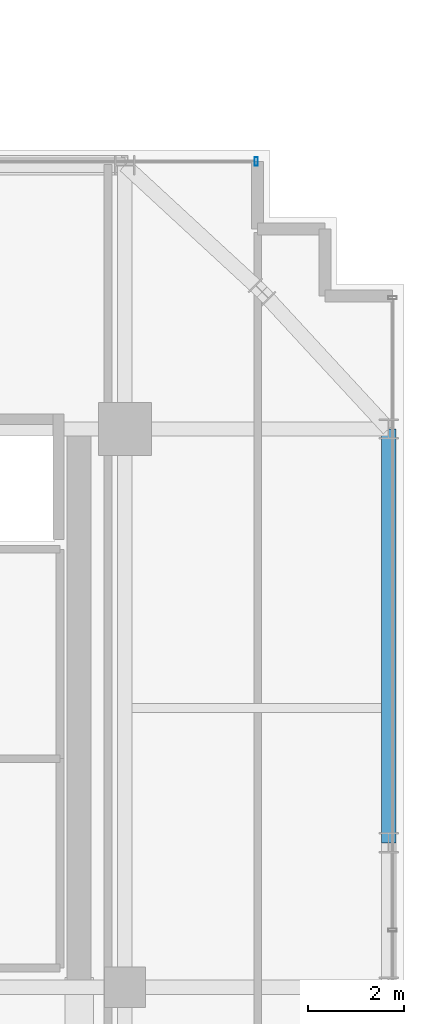
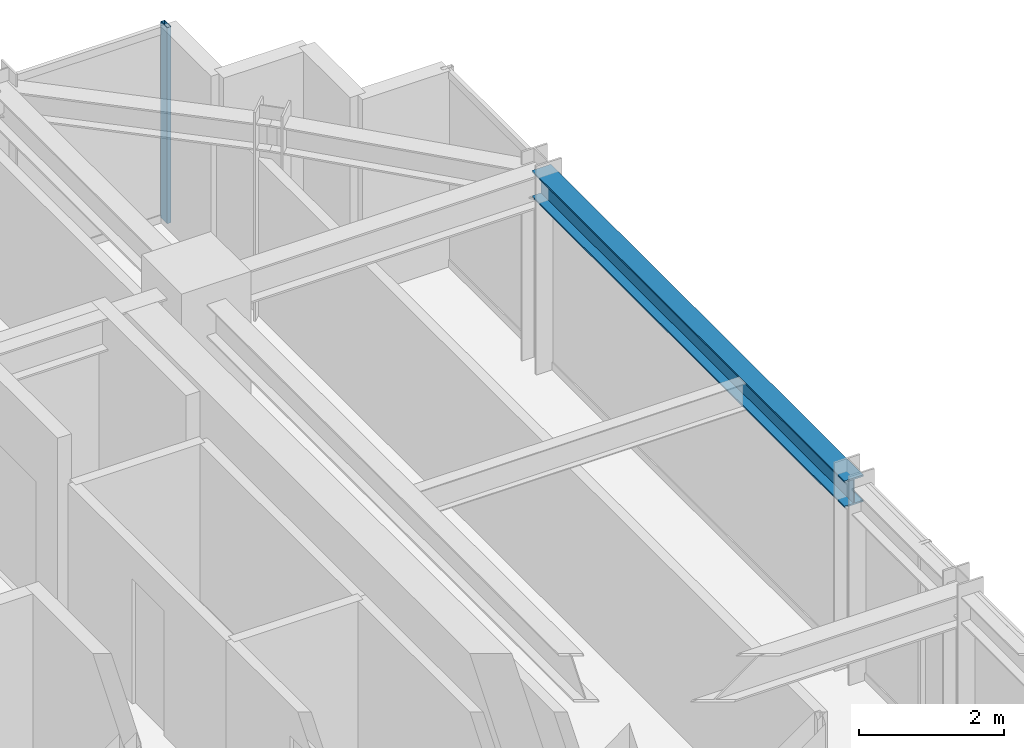
# One storey, part 23 of 32: 1 beam, 1 member, 1 element without a shape of its own.
"""IFC4 building model written with IfcOpenShell, lengths in metres."""

from ifc_helpers import new_model, si_unit, direction, frame, origin, origin_2d, place, context, subcontext, project, spatial, hollow_rectangle, i_section, extrude, source, transform, mapped, material, material_profile, profile_set, type_object, element, aggregate, save


model = new_model("IFC4")

# Units and contexts
model_context = context("Model", 3, precision=1e-05, world=origin(), true_north=direction((0.0, 1.0)))
body_context = subcontext(model_context, "Body", "Model", "MODEL_VIEW")
ifc_project = project(units=[si_unit("LENGTHUNIT", "METRE"), si_unit("AREAUNIT", "SQUARE_METRE"), si_unit("VOLUMEUNIT", "CUBIC_METRE"), si_unit("PLANEANGLEUNIT", "RADIAN"), si_unit("MASSUNIT", "GRAM", prefix="KILO")], contexts=[model_context])

# Site, building, storey
site_placement = place(None, origin())
site = spatial("IfcSite", under=ifc_project, at=site_placement, CompositionType="ELEMENT")
building_placement = place(site_placement, origin())
building = spatial("IfcBuilding", under=site, at=building_placement, Name="Nahalor Promenade Grand Hotel", CompositionType="ELEMENT")
storey_placement = place(building_placement, frame((0.0, 0.0, 196.449951171875)))
storey = spatial("IfcBuildingStorey", under=building, at=storey_placement, Name="L50", CompositionType="ELEMENT", Elevation=196.449951171875)

# Beam
ifc_material_1 = material(Name="Steel S355JR", Category="steel")
ifc_material_profile_1 = material_profile(ifc_material_1, i_section(OverallWidth=0.3, OverallDepth=0.45, WebThickness=0.014, FlangeThickness=0.026, at=origin_2d()), Name="HEB 450")
ifc_profile_set_1 = profile_set([ifc_material_profile_1], Name="Steel S355JR")
beam_type = type_object("IfcBeamType", Name="Beam-Spandrel-HEB450", PredefinedType="SPANDREL", material=ifc_profile_set_1)
shared_shape_1 = source(origin(), body_context, "Body", "SweptSolid", [
    extrude(i_section(OverallWidth=0.3, OverallDepth=0.45, WebThickness=0.014, FlangeThickness=0.026, at=origin_2d()), origin(), (0.0, 0.0, 1.0), 8.60009765625),
])
beam_placement = place(storey_placement, frame((22.47998046875, 8.39990234375, 3.06494140625), z_axis=(0.0, 1.0, 0.0), x_axis=(-1.0, 0.0, 0.0)))
element("IfcBeam", 1, at=beam_placement, inside=storey, type_object=beam_type, Name="BM-L50-SP-E-4", PredefinedType="SPANDREL", context=body_context, shape_type="MappedRepresentation", body=[
    mapped(shared_shape_1, transform((0.0, 0.0, 0.0), scale=1.0)),
])

# Curtain wall, member
ifc_material_2 = material(Name="Anodised Bronze Aluminium EN AW-6063 T6", Category="aluminium")
curtain_wall_type = type_object("IfcCurtainWallType", Name="CW2 Typical Hotel Flush Bronze Unitised Curtain Wall", PredefinedType="USERDEFINED", material=ifc_material_2)
curtain_wall_placement = place(storey_placement, origin())
curtain_wall = element("IfcCurtainWall", 2, at=curtain_wall_placement, inside=storey, type_object=curtain_wall_type, Name="L50 Curtain Wall CW-L50-N-3", ObjectType="UNITISED_CURTAIN_WALL", PredefinedType="USERDEFINED")
ifc_material_profile_2 = material_profile(ifc_material_2, hollow_rectangle(XDim=0.065, YDim=0.18, WallThickness=0.004, at=origin_2d()), Name="CWM 65x180x4")
ifc_profile_set_2 = profile_set([ifc_material_profile_2], Name="Anodised Bronze Aluminium EN AW-6063 T6")
member_type = type_object("IfcMemberType", Name="CWM2 Typical Bronze Mullion 65x180", PredefinedType="MULLION", material=ifc_profile_set_2)
shared_shape_2 = source(origin(), body_context, "Body", "SweptSolid", [
    extrude(hollow_rectangle(XDim=0.065, YDim=0.18, WallThickness=0.004, at=origin_2d()), origin(), (0.0, 0.0, 1.0), 3.2900390625),
])
member_placement = place(storey_placement, frame((19.7275390625, 22.56005859375, 0.0), z_axis=(0.0, 0.0, 1.0), x_axis=(1.0, 0.0, 0.0)))
member = element("IfcMember", 3, at=member_placement, type_object=member_type, Name="CW-L50-N-3 Mullion 2", PredefinedType="MULLION", context=body_context, shape_type="MappedRepresentation", body=[
    mapped(shared_shape_2, transform((0.0, 0.0, 0.0), scale=1.0)),
])
aggregate(curtain_wall, [member])

save(model, "model.ifc")
